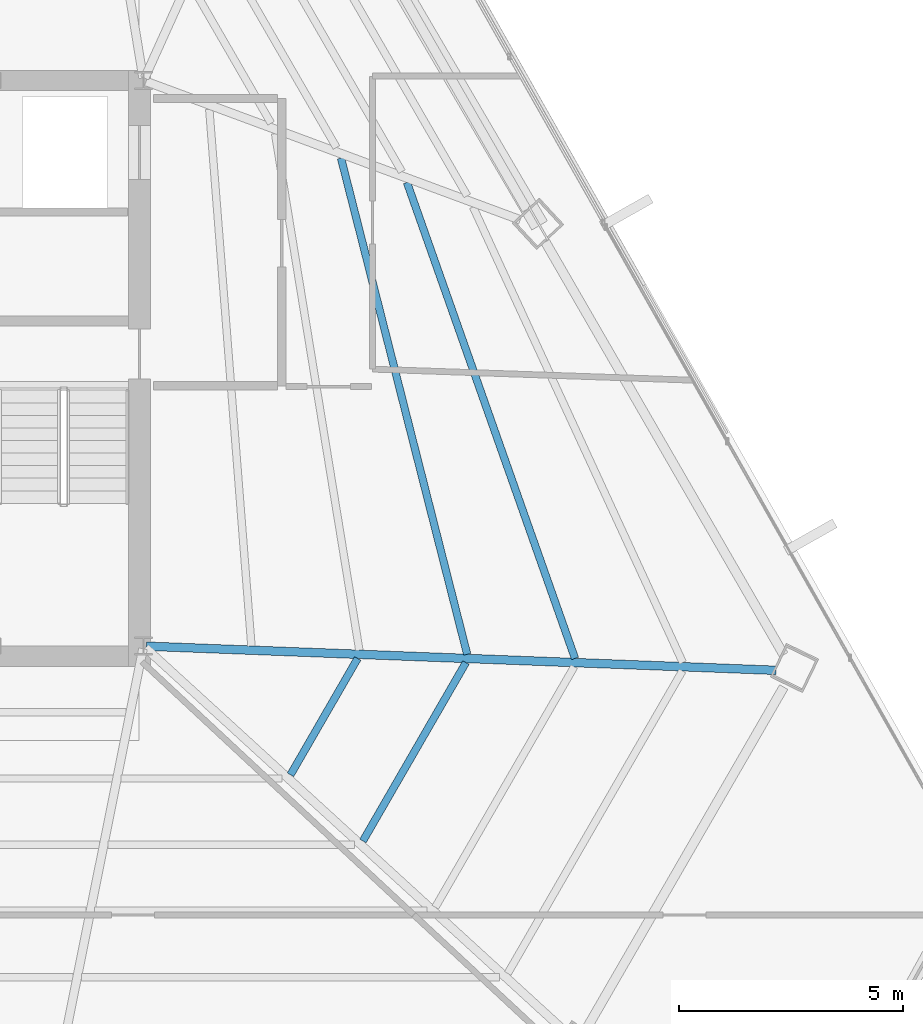
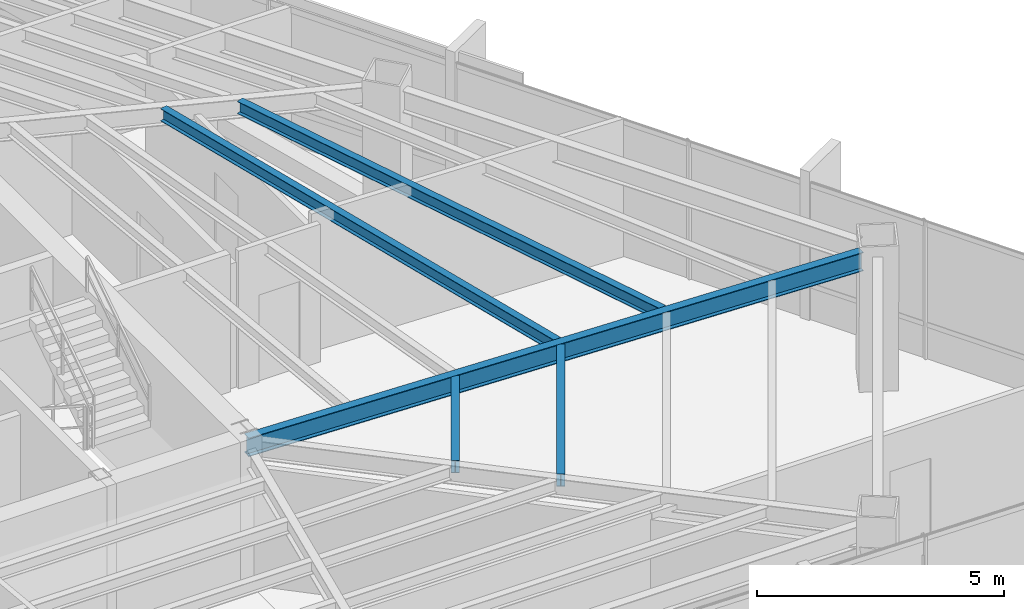
# One storey, part 21 of 40: 5 beams.
"""IFC4 building model written with IfcOpenShell, lengths in metres."""

from ifc_helpers import new_model, si_unit, direction, frame, origin, origin_2d, place, context, subcontext, project, spatial, i_section, extrude, source, transform, mapped, material, material_profile, profile_set, type_object, type_shapes, element, save


model = new_model("IFC4")

# Units and contexts
model_context = context("Model", 3, precision=1e-05, world=origin(), true_north=direction((0.0, 1.0)))
body_context = subcontext(model_context, "Body", "Model", "MODEL_VIEW")
ifc_project = project(units=[si_unit("LENGTHUNIT", "METRE"), si_unit("AREAUNIT", "SQUARE_METRE"), si_unit("VOLUMEUNIT", "CUBIC_METRE"), si_unit("PLANEANGLEUNIT", "RADIAN"), si_unit("MASSUNIT", "GRAM", prefix="KILO")], contexts=[model_context])

# Site, building, storey
site_placement = place(None, origin())
site = spatial("IfcSite", under=ifc_project, at=site_placement, CompositionType="ELEMENT")
building_placement = place(site_placement, origin())
building = spatial("IfcBuilding", under=site, at=building_placement, Name="Caelisora Broadcast Tower", CompositionType="ELEMENT")
storey_placement = place(building_placement, frame((0.0, 0.0, 213.25)))
storey = spatial("IfcBuildingStorey", under=building, at=storey_placement, Name="L56", CompositionType="ELEMENT", Elevation=213.25)

# Beams
ifc_material = material(Name="Steel Grade 350 (AS/NZS 3679.1)", Category="steel")
ifc_material_profile_1 = material_profile(ifc_material, i_section(OverallWidth=0.19091796875, OverallDepth=0.46044921875, WebThickness=0.010009765625, FlangeThickness=0.01611328125, at=origin_2d()), Name="Steel Grade 350 (AS/NZS 3679.1)")
ifc_profile_set_1 = profile_set([ifc_material_profile_1], Name="Steel Grade 350 (AS/NZS 3679.1)")
beam_type_1 = type_object("IfcBeamType", Name="PG06", PredefinedType="BEAM", material=ifc_profile_set_1)
shared_shape_1 = source(origin(), body_context, "Body", "SweptSolid", [
    extrude(i_section(OverallWidth=0.19091796875, OverallDepth=0.46044921875, WebThickness=0.010009765625, FlangeThickness=0.01611328125, at=origin_2d()), origin(), (0.0, 0.0, 1.0), 14.0458984375),
])
type_shapes(beam_type_1, [shared_shape_1])
beam_1_placement = place(storey_placement, frame((45.56005859375, 17.397705078125, 3.169921875), z_axis=(0.999265942354, -0.038308960462, 0.0), x_axis=(0.038308960462, 0.999265942354, 0.0)))
element("IfcBeam", 1, at=beam_1_placement, inside=storey, type_object=beam_type_1, Name="L56 beam PG06", PredefinedType="BEAM", context=body_context, shape_type="MappedRepresentation", body=[
    mapped(shared_shape_1, transform((0.0, 0.0, 0.0), scale=1.0)),
])
ifc_material_profile_2 = material_profile(ifc_material, i_section(OverallWidth=0.166015625, OverallDepth=0.30712890625, WebThickness=0.006591796875, FlangeThickness=0.01171875, at=origin_2d()), Name="Steel Grade 350 (AS/NZS 3679.1)")
ifc_profile_set_2 = profile_set([ifc_material_profile_2], Name="Steel Grade 350 (AS/NZS 3679.1)")
beam_type_2 = type_object("IfcBeamType", Name="SB03", PredefinedType="JOIST", material=ifc_profile_set_2)
shared_shape_2 = source(origin(), body_context, "Body", "SweptSolid", [
    extrude(i_section(OverallWidth=0.166015625, OverallDepth=0.30712890625, WebThickness=0.006591796875, FlangeThickness=0.01171875, at=origin_2d()), origin(), (0.0, 0.0, 1.0), 11.408935546875),
])
beam_2_placement = place(storey_placement, frame((52.7119140625, 17.21630859375, 3.246337890625), z_axis=(-0.246476112261, 0.969148866834, 0.0), x_axis=(-0.969148866834, -0.246476112261, 0.0)))
element("IfcBeam", 2, at=beam_2_placement, inside=storey, type_object=beam_type_2, Name="L56 beam SB03", PredefinedType="JOIST", context=body_context, shape_type="MappedRepresentation", body=[
    mapped(shared_shape_2, transform((0.0, 0.0, 0.0), scale=1.0)),
])
shared_shape_3 = source(origin(), body_context, "Body", "SweptSolid", [
    extrude(i_section(OverallWidth=0.166015625, OverallDepth=0.30712890625, WebThickness=0.006591796875, FlangeThickness=0.01171875, at=origin_2d()), origin(), (0.0, 0.0, 1.0), 11.24658203125),
])
beam_3_placement = place(storey_placement, frame((55.114501953125, 17.124267578125, 3.246337890625), z_axis=(-0.332954101542, 0.942943034476, 0.0), x_axis=(-0.942943034476, -0.332954101542, 0.0)))
element("IfcBeam", 3, at=beam_3_placement, inside=storey, type_object=beam_type_2, Name="L56 beam SB03", PredefinedType="JOIST", context=body_context, shape_type="MappedRepresentation", body=[
    mapped(shared_shape_3, transform((0.0, 0.0, 0.0), scale=1.0)),
])
shared_shape_4 = source(origin(), body_context, "Body", "SweptSolid", [
    extrude(i_section(OverallWidth=0.166015625, OverallDepth=0.30712890625, WebThickness=0.006591796875, FlangeThickness=0.01171875, at=origin_2d()), origin(), (0.0, 0.0, 1.0), 2.9931640625),
])
beam_4_placement = place(storey_placement, frame((48.774658203125, 14.531982421875, 3.246337890625), z_axis=(0.499981332661, 0.866036181109, 0.0), x_axis=(-0.866036181109, 0.499981332661, 0.0)))
element("IfcBeam", 4, at=beam_4_placement, inside=storey, type_object=beam_type_2, Name="L56 beam SB03", PredefinedType="JOIST", context=body_context, shape_type="MappedRepresentation", body=[
    mapped(shared_shape_4, transform((0.0, 0.0, 0.0), scale=1.0)),
])
shared_shape_5 = source(origin(), body_context, "Body", "SweptSolid", [
    extrude(i_section(OverallWidth=0.166015625, OverallDepth=0.30712890625, WebThickness=0.006591796875, FlangeThickness=0.01171875, at=origin_2d()), origin(), (0.0, 0.0, 1.0), 4.58984375),
])
type_shapes(beam_type_2, [shared_shape_2, shared_shape_3, shared_shape_4, shared_shape_5])
beam_5_placement = place(storey_placement, frame((50.38818359375, 13.056884765625, 3.246337890625), z_axis=(0.500006393711, 0.866021712342, 0.0), x_axis=(-0.866021712342, 0.500006393711, 0.0)))
element("IfcBeam", 5, at=beam_5_placement, inside=storey, type_object=beam_type_2, Name="L56 beam SB03", PredefinedType="JOIST", context=body_context, shape_type="MappedRepresentation", body=[
    mapped(shared_shape_5, transform((0.0, 0.0, 0.0), scale=1.0)),
])

save(model, "model.ifc")
